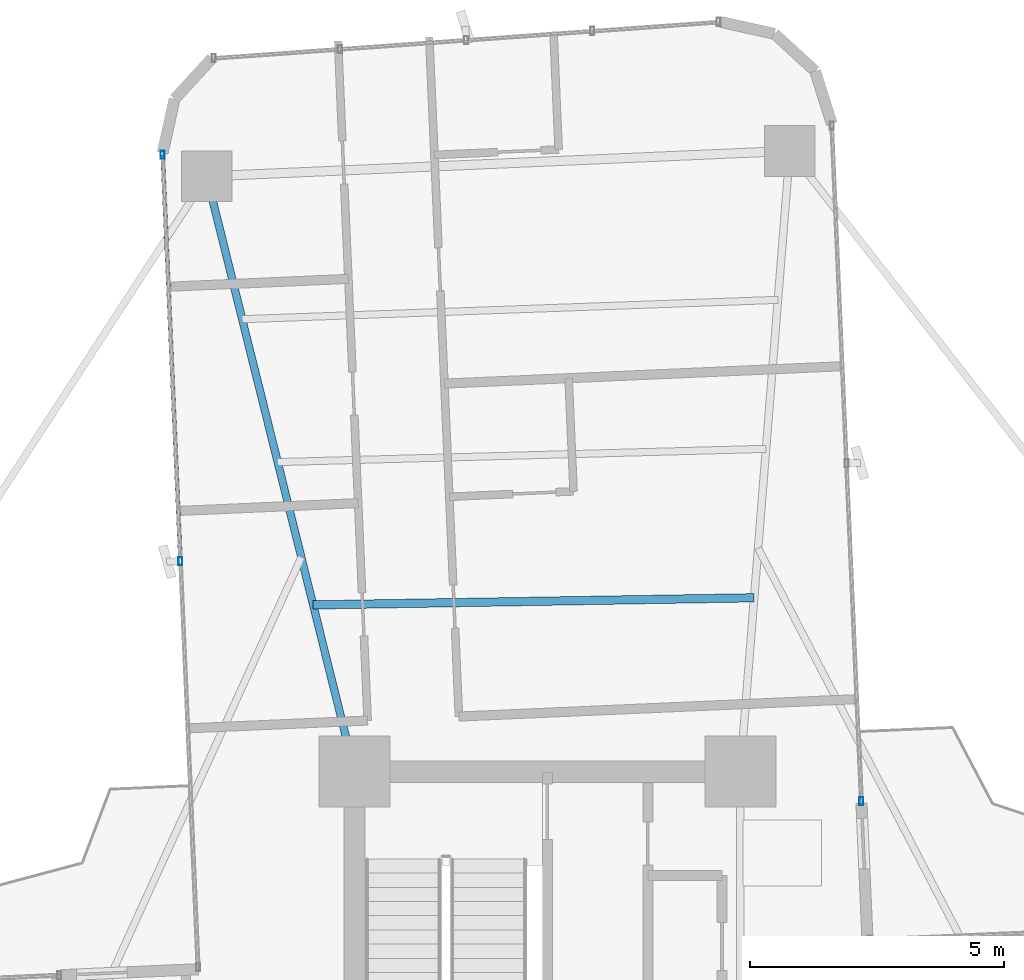
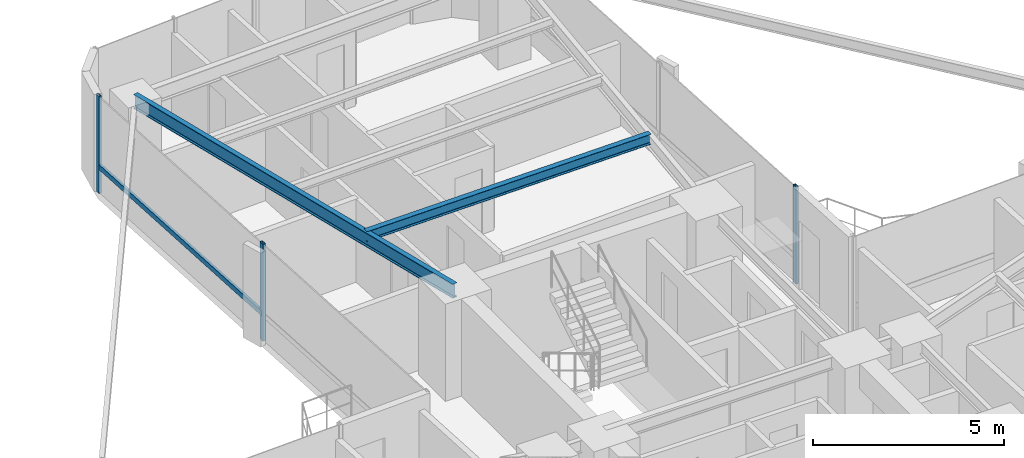
# One storey, part 17 of 26: 4 members, 2 beams, 2 elements without a shape of their own.
"""IFC4 building model written with IfcOpenShell, lengths in metres."""

from ifc_helpers import new_model, si_unit, direction, frame, origin, origin_2d, place, context, subcontext, project, spatial, hollow_rectangle, i_section, extrude, source, transform, mapped, material, material_profile, profile_set, type_object, element, aggregate, save


model = new_model("IFC4")

# Units and contexts
model_context = context("Model", 3, precision=1e-05, world=origin(), true_north=direction((0.0, 1.0)))
body_context = subcontext(model_context, "Body", "Model", "MODEL_VIEW")
ifc_project = project(units=[si_unit("LENGTHUNIT", "METRE"), si_unit("AREAUNIT", "SQUARE_METRE"), si_unit("VOLUMEUNIT", "CUBIC_METRE"), si_unit("PLANEANGLEUNIT", "RADIAN"), si_unit("MASSUNIT", "GRAM", prefix="KILO")], contexts=[model_context])

# Site, building, storey
site_placement = place(None, origin())
site = spatial("IfcSite", under=ifc_project, at=site_placement, CompositionType="ELEMENT")
building_placement = place(site_placement, origin())
building = spatial("IfcBuilding", under=site, at=building_placement, Name="Sahyath Konkavel Grand Hotel", CompositionType="ELEMENT")
storey_placement = place(building_placement, frame((0.0, 0.0, 83.5)))
storey = spatial("IfcBuildingStorey", under=building, at=storey_placement, Name="L22", CompositionType="ELEMENT", Elevation=83.5)

# Beams
ifc_material_1 = material(Name="Steel E350", Category="steel")
ifc_material_profile_1 = material_profile(ifc_material_1, i_section(OverallWidth=0.14990234375, OverallDepth=0.449951171875, WebThickness=0.009521484375, FlangeThickness=0.017333984375, FilletRadius=0.014892578125, at=origin_2d()), Name="ISMB 450")
ifc_profile_set_1 = profile_set([ifc_material_profile_1], Name="Steel E350")
beam_type_1 = type_object("IfcBeamType", Name="BM-ISMB450", PredefinedType="BEAM", material=ifc_profile_set_1)
shared_shape_1 = source(origin(), body_context, "Body", "SweptSolid", [
    extrude(i_section(OverallWidth=0.14990234375, OverallDepth=0.449951171875, WebThickness=0.009521484375, FlangeThickness=0.017333984375, FilletRadius=0.014892578125, at=origin_2d()), origin(), (0.0, 0.0, 1.0), 12.084228515625),
])
beam_1_placement = place(storey_placement, frame((-3.800048828125, 10.199951171875, 2.885009765625), z_axis=(-0.241042688481, 0.970514514229, 0.0), x_axis=(-0.970514514229, -0.241042688481, 0.0)))
element("IfcBeam", 1, at=beam_1_placement, inside=storey, type_object=beam_type_1, Name="L22 Cruciform Radial Girder NB", PredefinedType="BEAM", context=body_context, shape_type="MappedRepresentation", body=[
    mapped(shared_shape_1, transform((0.0, 0.0, 0.0), scale=1.0)),
])
ifc_material_profile_2 = material_profile(ifc_material_1, i_section(OverallWidth=0.1650390625, OverallDepth=0.324951171875, WebThickness=0.007080078125, FlangeThickness=0.009765625, FilletRadius=0.014892578125, at=origin_2d()), Name="ISLB 325")
ifc_profile_set_2 = profile_set([ifc_material_profile_2], Name="Steel E350")
beam_type_2 = type_object("IfcBeamType", Name="BM-ISLB325", PredefinedType="BEAM", material=ifc_profile_set_2)
shared_shape_2 = source(origin(), body_context, "Body", "SweptSolid", [
    extrude(i_section(OverallWidth=0.1650390625, OverallDepth=0.324951171875, WebThickness=0.007080078125, FlangeThickness=0.009765625, FilletRadius=0.014892578125, at=origin_2d()), origin(), (0.0, 0.0, 1.0), 8.68994140625),
])
beam_2_placement = place(storey_placement, frame((4.0732421875, 13.624267578125, 2.947509765625), z_axis=(-0.999869506431, -0.016154569283, 0.0), x_axis=(0.016154569283, -0.999869506431, 0.0)))
element("IfcBeam", 2, at=beam_2_placement, inside=storey, type_object=beam_type_2, Name="L22 Secondary Floor Beam N-1", PredefinedType="BEAM", context=body_context, shape_type="MappedRepresentation", body=[
    mapped(shared_shape_2, transform((0.0, 0.0, 0.0), scale=1.0)),
])

# Curtain wall, member
ifc_material_2 = material(Name="Anodised Bronze Aluminium & Low-E Glazing", Category="aluminium")
curtain_wall_type = type_object("IfcCurtainWallType", Name="CW-ZONE2", PredefinedType="NOTDEFINED", material=ifc_material_2)
curtain_wall_1_placement = place(storey_placement, origin())
curtain_wall_1 = element("IfcCurtainWall", 3, at=curtain_wall_1_placement, inside=storey, type_object=curtain_wall_type, Name="L22 Unitised Curtain Wall F8", PredefinedType="NOTDEFINED")
ifc_material_3 = material(Name="Anodised Bronze Aluminium", Category="aluminium")
ifc_material_profile_3 = material_profile(ifc_material_3, hollow_rectangle(XDim=0.080078125, YDim=0.159912109375, WallThickness=0.006103515625, at=origin_2d()), Name="RHS 160x80x6")
ifc_profile_set_3 = profile_set([ifc_material_profile_3], Name="Anodised Bronze Aluminium")
member_type_1 = type_object("IfcMemberType", Name="CW-MUL-160", PredefinedType="MULLION", material=ifc_profile_set_3)
shared_shape_3 = source(origin(), body_context, "Body", "SweptSolid", [
    extrude(hollow_rectangle(XDim=0.080078125, YDim=0.159912109375, WallThickness=0.006103515625, at=origin_2d()), origin(), (0.0, 0.0, 1.0), 3.110107421875),
])
member_1_placement = place(storey_placement, frame((6.186279296875, 9.618896484375, 0.0), z_axis=(0.0, 0.0, 1.0), x_axis=(1.0, 0.0, 0.0)))
member_1 = element("IfcMember", 4, at=member_1_placement, type_object=member_type_1, Name="L22 Curtain Wall Mullion F8-0", PredefinedType="MULLION", context=body_context, shape_type="MappedRepresentation", body=[
    mapped(shared_shape_3, transform((0.0, 0.0, 0.0), scale=1.0)),
])
aggregate(curtain_wall_1, [member_1])

# Curtain wall, members
curtain_wall_2_placement = place(storey_placement, origin())
curtain_wall_2 = element("IfcCurtainWall", 5, at=curtain_wall_2_placement, inside=storey, type_object=curtain_wall_type, Name="L22 Unitised Curtain Wall F15", PredefinedType="NOTDEFINED")
member_2_placement = place(storey_placement, frame((-7.582275390625, 22.3505859375, 0.0), z_axis=(0.0, 0.0, 1.0), x_axis=(1.0, 0.0, 0.0)))
member_2 = element("IfcMember", 6, at=member_2_placement, type_object=member_type_1, Name="L22 Curtain Wall Mullion F15-0", PredefinedType="MULLION", context=body_context, shape_type="MappedRepresentation", body=[
    mapped(shared_shape_3, transform((0.0, 0.0, 0.0), scale=1.0)),
])
member_3_placement = place(storey_placement, frame((-7.232666015625, 14.34814453125, 0.0), z_axis=(0.0, 0.0, 1.0), x_axis=(1.0, 0.0, 0.0)))
member_3 = element("IfcMember", 7, at=member_3_placement, type_object=member_type_1, Name="L22 Curtain Wall Mullion F15-1", PredefinedType="MULLION", context=body_context, shape_type="MappedRepresentation", body=[
    mapped(shared_shape_3, transform((0.0, 0.0, 0.0), scale=1.0)),
])
ifc_material_profile_4 = material_profile(ifc_material_3, hollow_rectangle(XDim=0.080078125, YDim=0.159912109375, WallThickness=0.006103515625, at=origin_2d()), Name="RHS 160x80x6")
ifc_profile_set_4 = profile_set([ifc_material_profile_4], Name="Anodised Bronze Aluminium")
member_type_2 = type_object("IfcMemberType", Name="CW-TRN-160", PredefinedType="USERDEFINED", material=ifc_profile_set_4)
shared_shape_4 = source(origin(), body_context, "Body", "SweptSolid", [
    extrude(hollow_rectangle(XDim=0.080078125, YDim=0.159912109375, WallThickness=0.006103515625, at=origin_2d()), origin(), (0.0, 0.0, 1.0), 8.010009765625),
])
member_4_placement = place(storey_placement, frame((-7.582275390625, 22.3505859375, 0.85009765625), z_axis=(0.043646207089, -0.999047050247, 0.0), x_axis=(0.999047050247, 0.043646207089, 0.0)))
member_4 = element("IfcMember", 8, at=member_4_placement, type_object=member_type_2, Name="L22 Curtain Wall Transom F15-0-spandrel", ObjectType="TRANSOM", PredefinedType="USERDEFINED", context=body_context, shape_type="MappedRepresentation", body=[
    mapped(shared_shape_4, transform((0.0, 0.0, 0.0), scale=1.0)),
])
aggregate(curtain_wall_2, [member_2, member_3, member_4])

save(model, "model.ifc")
